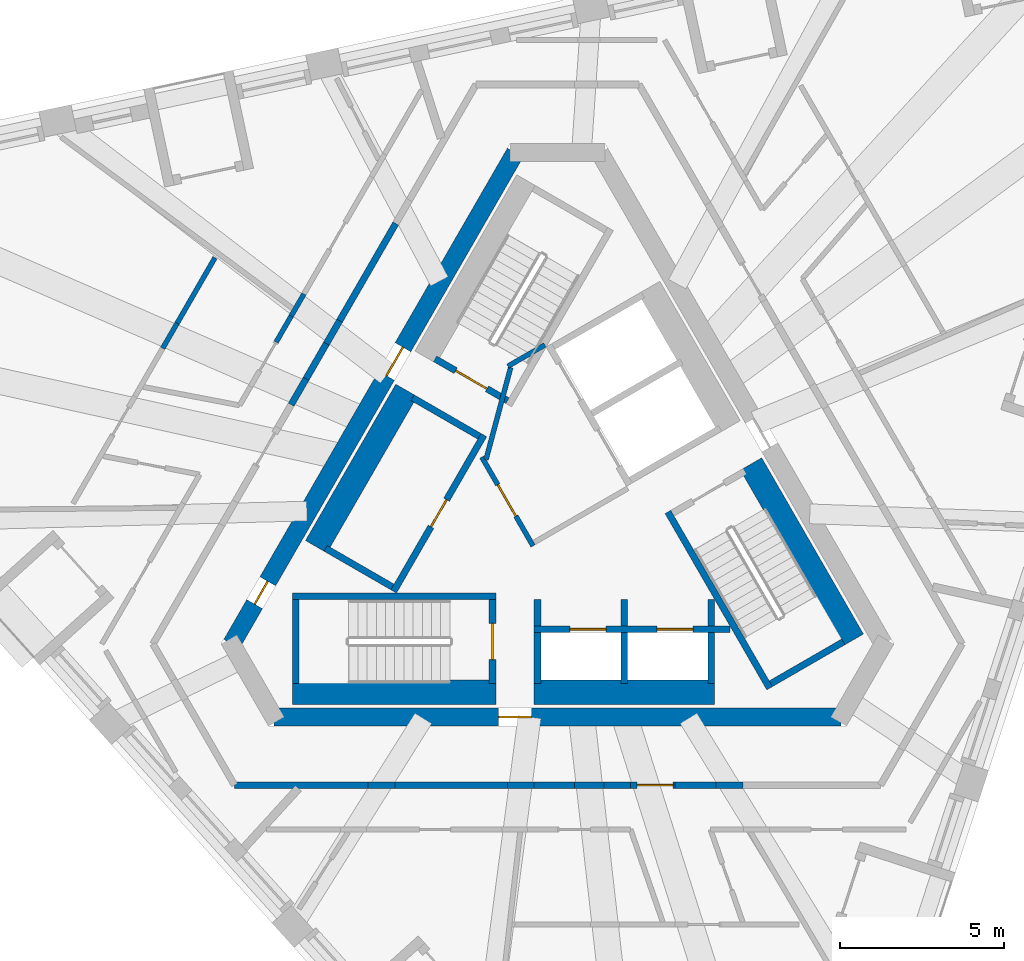
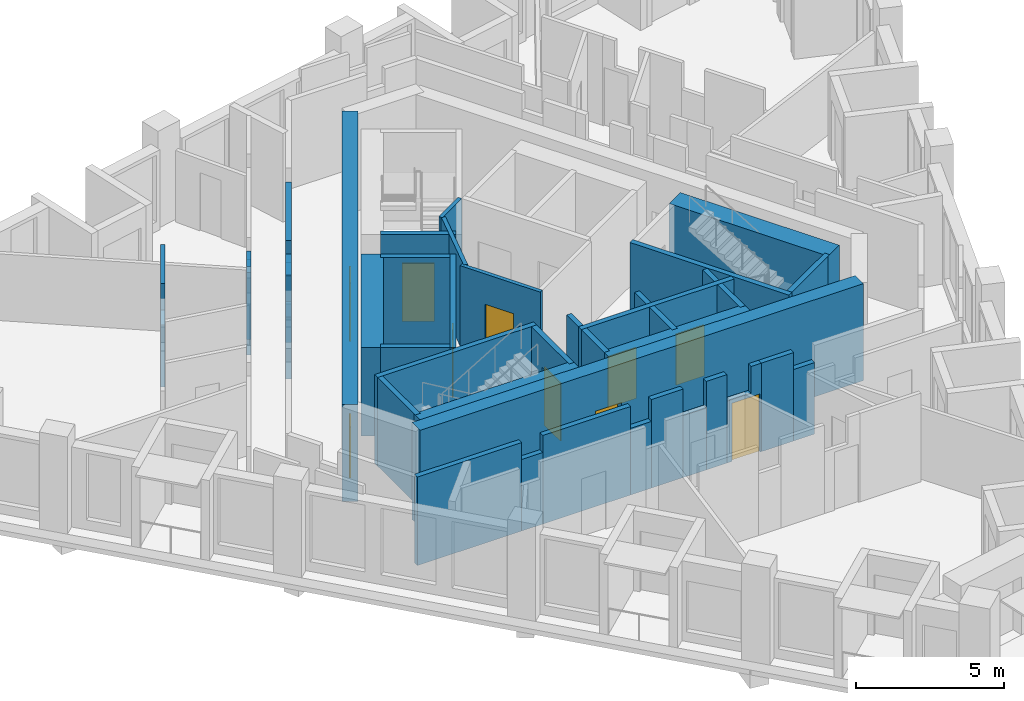
# One storey, part 4 of 13: 43 walls, 10 doors, 10 openings.
"""IFC4 building model written with IfcOpenShell, lengths in metres."""

from ifc_helpers import new_model, si_unit, direction, frame, frame_2d, origin, place, context, subcontext, project, spatial, polyline, rectangle, outline, extrude, material, layer, layer_set, type_object, element, fill, save


model = new_model("IFC4")

# Units and contexts
model_context = context("Model", 3, precision=1e-05, world=origin(), true_north=direction((0.0, 1.0)))
body_context = subcontext(model_context, "Body", "Model", "MODEL_VIEW")
ifc_project = project(units=[si_unit("LENGTHUNIT", "METRE"), si_unit("AREAUNIT", "SQUARE_METRE"), si_unit("VOLUMEUNIT", "CUBIC_METRE"), si_unit("PLANEANGLEUNIT", "RADIAN"), si_unit("MASSUNIT", "GRAM", prefix="KILO")], contexts=[model_context])

# Site, building, storey
site_placement = place(None, origin())
site = spatial("IfcSite", under=ifc_project, at=site_placement, CompositionType="ELEMENT")
building_placement = place(site_placement, origin())
building = spatial("IfcBuilding", under=site, at=building_placement, Name="Tramontana Tower", CompositionType="ELEMENT")
storey_placement = place(building_placement, frame((0.0, 0.0, 324.39990234375)))
storey = spatial("IfcBuildingStorey", under=building, at=storey_placement, Name="L74", CompositionType="ELEMENT", Elevation=324.39990234375)

# Wall, openings, doors
ifc_material_1 = material(Name="Concrete 70 MPa", Category="concrete")
ifc_layer_1 = layer(ifc_material_1, 0.550048828125)
ifc_layer_set_1 = layer_set([ifc_layer_1], Name="Core wall 550 70 MPa")
wall_type_1 = type_object("IfcWallType", Name="Core wall 550 70 MPa", PredefinedType="SHEAR", material=ifc_layer_set_1)
wall_1_placement = place(storey_placement, frame((-1.28466796875, 10.72509765625, 0.0), z_axis=(0.0, 0.0, 1.0), x_axis=(-0.499994590896, -0.86602852671, 0.0)))
wall_1 = element("IfcWall", 1, at=wall_1_placement, inside=storey, type_object=wall_type_1, Name="Core wall C1 L74", PredefinedType="SHEAR", context=body_context, shape_type="SweptSolid", body=[
    extrude(rectangle(XDim=17.291748046875, YDim=0.550048828125, at=frame_2d((8.64599609375, 0.0))), origin(), (0.0, 0.0, 1.0), 4.0),
])
opening_1_placement = place(wall_1_placement, frame((6.850830078125, 0.0, 0.0)))
opening_1 = element("IfcOpeningElement", 2, at=opening_1_placement, cuts=wall_1, Name="Opening RG1", PredefinedType="OPENING", context=body_context, shape_type="SweptSolid", body=[
    extrude(rectangle(XDim=1.0, YDim=2.39990234375, at=frame_2d((0.5, 1.199951171875))), frame((0.0, 0.284912109375, 0.0), z_axis=(0.0, -1.0, 0.0), x_axis=(1.0, 0.0, 0.0)), (0.0, 0.0, 1.0), 0.570068359375),
])
opening_2_placement = place(wall_1_placement, frame((15.0888671875, 0.0, 0.0)))
opening_2 = element("IfcOpeningElement", 3, at=opening_2_placement, cuts=wall_1, Name="Opening PD1", PredefinedType="OPENING", context=body_context, shape_type="SweptSolid", body=[
    extrude(rectangle(XDim=0.800048828125, YDim=2.10009765625, at=frame_2d((0.39990234375, 1.050048828125))), frame((0.0, 0.284912109375, 0.0), z_axis=(0.0, -1.0, 0.0), x_axis=(1.0, 0.0, 0.0)), (0.0, 0.0, 1.0), 0.570068359375),
])
ifc_material_2 = material(Name="Painted steel", Category="steel")
door_type_1 = type_object("IfcDoorType", Name="CUPBOARD DOOR 800", OperationType="SINGLE_SWING_LEFT", PredefinedType="DOOR", material=ifc_material_2)
door_1_placement = place(opening_2_placement, origin())
door_1 = element("IfcDoor", 4, at=door_1_placement, inside=storey, type_object=door_type_1, Name="Door PD1", OperationType="SINGLE_SWING_RIGHT", OverallHeight=2.10009765625, OverallWidth=0.800048828125, PredefinedType="DOOR", context=body_context, shape_type="SweptSolid", body=[
    extrude(rectangle(XDim=0.800048828125, YDim=2.10009765625, at=frame_2d((0.39990234375, 1.050048828125))), frame((0.0, 0.02490234375, 0.0), z_axis=(0.0, -1.0, 0.0), x_axis=(1.0, 0.0, 0.0)), (0.0, 0.0, 1.0), 0.050048828125),
])
fill(opening_2, door_1)
ifc_material_3 = material(Name="Painted steel", Category="steel")
door_type_2 = type_object("IfcDoorType", Name="RING DOOR 1000", OperationType="SINGLE_SWING_LEFT", PredefinedType="DOOR", material=ifc_material_3)
door_2_placement = place(opening_1_placement, origin())
door_2 = element("IfcDoor", 5, at=door_2_placement, inside=storey, type_object=door_type_2, Name="Door RG1", OperationType="SINGLE_SWING_LEFT", OverallHeight=2.39990234375, OverallWidth=1.0, PredefinedType="DOOR", context=body_context, shape_type="SweptSolid", body=[
    extrude(rectangle(XDim=1.0, YDim=2.39990234375, at=frame_2d((0.5, 1.199951171875))), frame((0.0, 0.02490234375, 0.0), z_axis=(0.0, -1.0, 0.0), x_axis=(1.0, 0.0, 0.0)), (0.0, 0.0, 1.0), 0.050048828125),
])
fill(opening_1, door_2)

# Wall, opening, door
wall_2_placement = place(storey_placement, frame((-8.645751953125, -6.47509765625, 0.0), z_axis=(0.0, 0.0, 1.0), x_axis=(1.0, 0.0, 0.0)))
wall_2 = element("IfcWall", 6, at=wall_2_placement, inside=storey, type_object=wall_type_1, Name="Core wall C3 L74", PredefinedType="SHEAR", context=body_context, shape_type="SweptSolid", body=[
    extrude(rectangle(XDim=17.29150390625, YDim=0.550048828125, at=frame_2d((8.645751953125, 0.0))), origin(), (0.0, 0.0, 1.0), 4.0),
])
opening_3_placement = place(wall_2_placement, frame((6.850830078125, 0.0, 0.0)))
opening_3 = element("IfcOpeningElement", 7, at=opening_3_placement, cuts=wall_2, Name="Opening RG2", PredefinedType="OPENING", context=body_context, shape_type="SweptSolid", body=[
    extrude(rectangle(XDim=1.0, YDim=2.39990234375, at=frame_2d((0.5, 1.199951171875))), frame((0.0, 0.284912109375, 0.0), z_axis=(0.0, -1.0, 0.0), x_axis=(1.0, 0.0, 0.0)), (0.0, 0.0, 1.0), 0.570068359375),
])
door_3_placement = place(opening_3_placement, origin())
door_3 = element("IfcDoor", 8, at=door_3_placement, inside=storey, type_object=door_type_2, Name="Door RG2", OperationType="SINGLE_SWING_RIGHT", OverallHeight=2.39990234375, OverallWidth=1.0, PredefinedType="DOOR", context=body_context, shape_type="SweptSolid", body=[
    extrude(rectangle(XDim=1.0, YDim=2.39990234375, at=frame_2d((0.5, 1.199951171875))), frame((0.0, 0.02490234375, 0.0), z_axis=(0.0, -1.0, 0.0), x_axis=(1.0, 0.0, 0.0)), (0.0, 0.0, 1.0), 0.050048828125),
])
fill(opening_3, door_3)

# Walls
ifc_material_4 = material(Name="Blockwork", Category="masonry")
ifc_layer_2 = layer(ifc_material_4, 0.199951171875)
ifc_layer_set_2 = layer_set([ifc_layer_2], Name="ENTRY WALL 200")
wall_type_2 = type_object("IfcWallType", Name="ENTRY WALL 200", PredefinedType="SOLIDWALL", material=ifc_layer_set_2)
wall_3_placement = place(storey_placement, frame((5.6494140625, -8.550048828125, 0.0), z_axis=(0.0, 0.0, 1.0), x_axis=(-1.0, 0.0, 0.0)))
element("IfcWall", 9, at=wall_3_placement, inside=storey, type_object=wall_type_2, Name="Wall v80-ew1-1", PredefinedType="SOLIDWALL", context=body_context, shape_type="SweptSolid", body=[
    extrude(rectangle(XDim=0.821044921875, YDim=0.199951171875, at=frame_2d((0.41064453125, 0.0))), origin(), (0.0, 0.0, 1.0), 2.9501953125),
])
wall_4_placement = place(storey_placement, frame((4.828369140625, -8.550048828125, 0.0), z_axis=(0.0, 0.0, 1.0), x_axis=(-1.0, 0.0, 0.0)))
element("IfcWall", 10, at=wall_4_placement, inside=storey, type_object=wall_type_2, Name="Wall v80-ew1-2", PredefinedType="SOLIDWALL", context=body_context, shape_type="SweptSolid", body=[
    extrude(rectangle(XDim=1.254638671875, YDim=0.199951171875, at=frame_2d((0.62744140625, 0.0))), origin(), (0.0, 0.0, 1.0), 3.650146484375),
])

# Wall, opening, door
wall_5_placement = place(storey_placement, frame((2.22900390625, -8.550048828125, 0.0), z_axis=(0.0, 0.0, 1.0), x_axis=(1.0, 0.0, 0.0)))
wall_5 = element("IfcWall", 11, at=wall_5_placement, inside=storey, type_object=wall_type_2, Name="Wall v80-ew1-3", PredefinedType="SOLIDWALL", context=body_context, shape_type="SweptSolid", body=[
    extrude(outline(polyline([(0.0, 0.0), (1.3447265625, 0.0), (1.3447265625, 3.650146484375), (0.94384765625, 3.650146484375), (0.94384765625, 2.550048828125), (0.0, 2.550048828125), (0.0, 0.0)])), frame((0.0, 0.10009765625, 0.0), z_axis=(0.0, -1.0, 0.0), x_axis=(1.0, 0.0, 0.0)), (0.0, 0.0, 1.0), 0.199951171875),
])
opening_4_placement = place(wall_5_placement, frame((0.19482421875, 0.0, 0.0)))
opening_4 = element("IfcOpeningElement", 12, at=opening_4_placement, cuts=wall_5, Name="Opening B8A-20", PredefinedType="OPENING", context=body_context, shape_type="SweptSolid", body=[
    extrude(rectangle(XDim=1.10009765625, YDim=2.39990234375, at=frame_2d((0.550048828125, 1.199951171875))), frame((0.0, 0.10986328125, 0.0), z_axis=(0.0, -1.0, 0.0), x_axis=(1.0, 0.0, 0.0)), (0.0, 0.0, 1.0), 0.219970703125),
])
ifc_material_5 = material(Name="Painted timber", Category="wood")
door_type_3 = type_object("IfcDoorType", Name="DOOR ENTRY 1100", OperationType="SINGLE_SWING_LEFT", PredefinedType="DOOR", material=ifc_material_5)
door_4_placement = place(opening_4_placement, origin())
door_4 = element("IfcDoor", 13, at=door_4_placement, inside=storey, type_object=door_type_3, Name="Door B8A-20", OperationType="SINGLE_SWING_RIGHT", OverallHeight=2.39990234375, OverallWidth=1.10009765625, PredefinedType="DOOR", context=body_context, shape_type="SweptSolid", body=[
    extrude(rectangle(XDim=1.10009765625, YDim=2.39990234375, at=frame_2d((0.550048828125, 1.199951171875))), frame((0.0, 0.02490234375, 0.0), z_axis=(0.0, -1.0, 0.0), x_axis=(1.0, 0.0, 0.0)), (0.0, 0.0, 1.0), 0.050048828125),
])
fill(opening_4, door_4)

# Walls
wall_6_placement = place(storey_placement, frame((2.22900390625, -8.550048828125, 0.0), z_axis=(0.0, 0.0, 1.0), x_axis=(-1.0, 0.0, 0.0)))
element("IfcWall", 14, at=wall_6_placement, inside=storey, type_object=wall_type_2, Name="Wall v80-ew1-4", PredefinedType="SOLIDWALL", context=body_context, shape_type="SweptSolid", body=[
    extrude(rectangle(XDim=0.806640625, YDim=0.199951171875, at=frame_2d((0.4033203125, 0.0))), origin(), (0.0, 0.0, 1.0), 3.650146484375),
])
wall_7_placement = place(storey_placement, frame((1.42236328125, -8.550048828125, 0.0), z_axis=(0.0, 0.0, 1.0), x_axis=(-1.0, 0.0, 0.0)))
element("IfcWall", 15, at=wall_7_placement, inside=storey, type_object=wall_type_2, Name="Wall v80-ew1-5", PredefinedType="SOLIDWALL", context=body_context, shape_type="SweptSolid", body=[
    extrude(rectangle(XDim=0.90576171875, YDim=0.199951171875, at=frame_2d((0.452880859375, 0.0))), origin(), (0.0, 0.0, 1.0), 2.550048828125),
])
wall_8_placement = place(storey_placement, frame((0.5166015625, -8.550048828125, 0.0), z_axis=(0.0, 0.0, 1.0), x_axis=(-1.0, 0.0, 0.0)))
element("IfcWall", 16, at=wall_8_placement, inside=storey, type_object=wall_type_2, Name="Wall v80-ew1-6", PredefinedType="SOLIDWALL", context=body_context, shape_type="SweptSolid", body=[
    extrude(rectangle(XDim=1.23828125, YDim=0.199951171875, at=frame_2d((0.619140625, 0.0))), origin(), (0.0, 0.0, 1.0), 3.650146484375),
])
wall_9_placement = place(storey_placement, frame((-0.7216796875, -8.550048828125, 0.0), z_axis=(0.0, 0.0, 1.0), x_axis=(-1.0, 0.0, 0.0)))
element("IfcWall", 17, at=wall_9_placement, inside=storey, type_object=wall_type_2, Name="Wall v80-ew1-7", PredefinedType="SOLIDWALL", context=body_context, shape_type="SweptSolid", body=[
    extrude(rectangle(XDim=0.806884765625, YDim=0.199951171875, at=frame_2d((0.4033203125, 0.0))), origin(), (0.0, 0.0, 1.0), 2.75),
])
wall_10_placement = place(storey_placement, frame((-1.528564453125, -8.550048828125, 0.0), z_axis=(0.0, 0.0, 1.0), x_axis=(-1.0, 0.0, 0.0)))
element("IfcWall", 18, at=wall_10_placement, inside=storey, type_object=wall_type_2, Name="Wall v80-ew1-8", PredefinedType="SOLIDWALL", context=body_context, shape_type="SweptSolid", body=[
    extrude(rectangle(XDim=3.423095703125, YDim=0.199951171875, at=frame_2d((1.71142578125, 0.0))), origin(), (0.0, 0.0, 1.0), 3.650146484375),
])
wall_11_placement = place(storey_placement, frame((-4.95166015625, -8.550048828125, 0.0), z_axis=(0.0, 0.0, 1.0), x_axis=(-1.0, 0.0, 0.0)))
element("IfcWall", 19, at=wall_11_placement, inside=storey, type_object=wall_type_2, Name="Wall v80-ew1-9", PredefinedType="SOLIDWALL", context=body_context, shape_type="SweptSolid", body=[
    extrude(rectangle(XDim=0.826416015625, YDim=0.199951171875, at=frame_2d((0.4130859375, 0.0))), origin(), (0.0, 0.0, 1.0), 2.9501953125),
])
wall_12_placement = place(storey_placement, frame((-5.778076171875, -8.550048828125, 0.0), z_axis=(0.0, 0.0, 1.0), x_axis=(-1.0, 0.0, 0.0)))
element("IfcWall", 20, at=wall_12_placement, inside=storey, type_object=wall_type_2, Name="Wall v80-ew1-10", PredefinedType="SOLIDWALL", context=body_context, shape_type="SweptSolid", body=[
    extrude(rectangle(XDim=4.065673828125, YDim=0.199951171875, at=frame_2d((2.03271484375, 0.0))), origin(), (0.0, 0.0, 1.0), 3.650146484375),
])
wall_13_placement = place(storey_placement, frame((-8.11572265625, 3.043212890625, 0.0), z_axis=(0.0, 0.0, 1.0), x_axis=(0.499994660107, 0.866028486751, 0.0)))
element("IfcWall", 21, at=wall_13_placement, inside=storey, type_object=wall_type_2, Name="Wall v80-ew3-5", PredefinedType="SOLIDWALL", context=body_context, shape_type="SweptSolid", body=[
    extrude(rectangle(XDim=0.90576171875, YDim=0.199951171875, at=frame_2d((0.452880859375, 0.0))), origin(), (0.0, 0.0, 1.0), 2.550048828125),
])
wall_14_placement = place(storey_placement, frame((-7.662841796875, 3.82763671875, 0.0), z_axis=(0.0, 0.0, 1.0), x_axis=(0.499955681623, 0.866050989499, 0.0)))
element("IfcWall", 22, at=wall_14_placement, inside=storey, type_object=wall_type_2, Name="Wall v80-ew3-6", PredefinedType="SOLIDWALL", context=body_context, shape_type="SweptSolid", body=[
    extrude(rectangle(XDim=1.23828125, YDim=0.199951171875, at=frame_2d((0.619140625, 0.0))), origin(), (0.0, 0.0, 1.0), 3.650146484375),
])
wall_15_placement = place(storey_placement, frame((-7.043701171875, 4.900146484375, 0.0), z_axis=(0.0, 0.0, 1.0), x_axis=(0.500141487433, 0.865943700565, 0.0)))
element("IfcWall", 23, at=wall_15_placement, inside=storey, type_object=wall_type_2, Name="Wall v80-ew3-7", PredefinedType="SOLIDWALL", context=body_context, shape_type="SweptSolid", body=[
    extrude(rectangle(XDim=0.806884765625, YDim=0.199951171875, at=frame_2d((0.4033203125, 0.0))), origin(), (0.0, 0.0, 1.0), 2.75),
])
wall_16_placement = place(storey_placement, frame((-6.64013671875, 5.598876953125, 0.0), z_axis=(0.0, 0.0, 1.0), x_axis=(0.499989998285, 0.8660311782, 0.0)))
element("IfcWall", 24, at=wall_16_placement, inside=storey, type_object=wall_type_2, Name="Wall v80-ew3-8", PredefinedType="SOLIDWALL", context=body_context, shape_type="SweptSolid", body=[
    extrude(rectangle(XDim=3.4228515625, YDim=0.199951171875, at=frame_2d((1.71142578125, 0.0))), origin(), (0.0, 0.0, 1.0), 3.650146484375),
])

# Wall, opening, door
ifc_material_6 = material(Name="Gypsum board partition")
ifc_layer_3 = layer(ifc_material_6, 0.14990234375)
ifc_layer_set_3 = layer_set([ifc_layer_3], Name="PARTITION 150")
wall_type_3 = type_object("IfcWallType", Name="PARTITION 150", PredefinedType="PARTITIONING", material=ifc_layer_set_3)
wall_17_placement = place(storey_placement, frame((-0.744140625, -1.260986328125, 0.0), z_axis=(0.0, 0.0, 1.0), x_axis=(-0.500004234368, 0.866022959057, 0.0)))
wall_17 = element("IfcWall", 25, at=wall_17_placement, inside=storey, type_object=wall_type_3, Name="Wall ff-front", PredefinedType="PARTITIONING", context=body_context, shape_type="SweptSolid", body=[
    extrude(rectangle(XDim=3.125, YDim=0.14990234375, at=frame_2d((1.5625, 0.0))), origin(), (0.0, 0.0, 1.0), 3.650146484375),
])
opening_5_placement = place(wall_17_placement, frame((1.050048828125, 0.0, 0.0)))
opening_5 = element("IfcOpeningElement", 26, at=opening_5_placement, cuts=wall_17, Name="Opening FD1", PredefinedType="OPENING", context=body_context, shape_type="SweptSolid", body=[
    extrude(rectangle(XDim=1.10009765625, YDim=2.39990234375, at=frame_2d((0.550048828125, 1.199951171875))), frame((0.0, 0.0849609375, 0.0), z_axis=(0.0, -1.0, 0.0), x_axis=(1.0, 0.0, 0.0)), (0.0, 0.0, 1.0), 0.169921875),
])
door_5_placement = place(opening_5_placement, origin())
door_5 = element("IfcDoor", 27, at=door_5_placement, inside=storey, type_object=door_type_3, Name="Door FD1", OperationType="SINGLE_SWING_RIGHT", OverallHeight=2.39990234375, OverallWidth=1.10009765625, PredefinedType="DOOR", context=body_context, shape_type="SweptSolid", body=[
    extrude(rectangle(XDim=1.10009765625, YDim=2.39990234375, at=frame_2d((0.550048828125, 1.199951171875))), frame((0.0, 0.02490234375, 0.0), z_axis=(0.0, -1.0, 0.0), x_axis=(1.0, 0.0, 0.0)), (0.0, 0.0, 1.0), 0.050048828125),
])
fill(opening_5, door_5)

# Walls
wall_18_placement = place(storey_placement, frame((-2.177978515625, 1.372314453125, 0.0), z_axis=(0.0, 0.0, 1.0), x_axis=(0.258808958833, 0.96592852884, 0.0)))
element("IfcWall", 28, at=wall_18_placement, inside=storey, type_object=wall_type_3, Name="Wall ff-diag", PredefinedType="PARTITIONING", context=body_context, shape_type="SweptSolid", body=[
    extrude(rectangle(XDim=2.902587890625, YDim=0.14990234375, at=frame_2d((1.451171875, 0.0))), origin(), (0.0, 0.0, 1.0), 3.650146484375),
])
wall_19_placement = place(storey_placement, frame((-1.509765625, 4.21484375, 0.0), z_axis=(0.0, 0.0, 1.0), x_axis=(0.866085525409, 0.49989585183, 0.0)))
element("IfcWall", 29, at=wall_19_placement, inside=storey, type_object=wall_type_3, Name="Wall ff-end1", PredefinedType="PARTITIONING", context=body_context, shape_type="SweptSolid", body=[
    extrude(rectangle(XDim=1.300048828125, YDim=0.14990234375, at=frame_2d((0.64990234375, 0.0))), origin(), (0.0, 0.0, 1.0), 3.650146484375),
])
wall_20_placement = place(storey_placement, frame((-12.031005859375, 4.761962890625, 0.0), z_axis=(0.0, 0.0, 1.0), x_axis=(0.50019444547, 0.865913111531, 0.0)))
element("IfcWall", 30, at=wall_20_placement, inside=storey, type_object=wall_type_3, Name="Wall v80-pw01-3", PredefinedType="PARTITIONING", context=body_context, shape_type="SweptSolid", body=[
    extrude(rectangle(XDim=0.880615234375, YDim=0.14990234375, at=frame_2d((0.4404296875, 0.0))), origin(), (0.0, 0.0, 1.0), 2.550048828125),
])
wall_21_placement = place(storey_placement, frame((-11.590576171875, 5.5244140625, 0.0), z_axis=(0.0, 0.0, 1.0), x_axis=(0.500012835235, 0.866017993231, 0.0)))
element("IfcWall", 31, at=wall_21_placement, inside=storey, type_object=wall_type_3, Name="Wall v80-pw01-4", PredefinedType="PARTITIONING", context=body_context, shape_type="SweptSolid", body=[
    extrude(rectangle(XDim=2.3046875, YDim=0.14990234375, at=frame_2d((1.15234375, 0.0))), origin(), (0.0, 0.0, 1.0), 3.650146484375),
])
wall_22_placement = place(storey_placement, frame((-8.573974609375, 4.949462890625, 0.0), z_axis=(0.0, 0.0, 1.0), x_axis=(0.500023511883, 0.866011828767, 0.0)))
element("IfcWall", 32, at=wall_22_placement, inside=storey, type_object=wall_type_3, Name="Wall v80-pw08-2", PredefinedType="PARTITIONING", context=body_context, shape_type="SweptSolid", body=[
    extrude(rectangle(XDim=0.91259765625, YDim=0.14990234375, at=frame_2d((0.456298828125, 0.0))), origin(), (0.0, 0.0, 1.0), 3.650146484375),
])
wall_23_placement = place(storey_placement, frame((-8.11767578125, 5.73974609375, 0.0), z_axis=(0.0, 0.0, 1.0), x_axis=(0.500001804394, 0.866024362014, 0.0)))
element("IfcWall", 33, at=wall_23_placement, inside=storey, type_object=wall_type_3, Name="Wall v80-pw08-3", PredefinedType="PARTITIONING", context=body_context, shape_type="SweptSolid", body=[
    extrude(rectangle(XDim=0.78173828125, YDim=0.14990234375, at=frame_2d((0.390869140625, 0.0))), origin(), (0.0, 0.0, 1.0), 2.75),
])
ifc_material_7 = material(Name="Concrete 70 MPa", Category="concrete")
ifc_layer_4 = layer(ifc_material_7, 0.75)
ifc_layer_set_4 = layer_set([ifc_layer_4], Name="Concrete 70 MPa, 750 mm")
wall_type_4 = type_object("IfcWallType", Name="RC SHAFT BACK WALL 750", PredefinedType="SOLIDWALL", material=ifc_layer_set_4)
wall_24_placement = place(storey_placement, frame((-8.080078125, -5.72509765625, 0.0), z_axis=(0.0, 0.0, 1.0), x_axis=(1.0, 0.0, 0.0)))
element("IfcWall", 34, at=wall_24_placement, inside=storey, type_object=wall_type_4, Name="Wall st2-back", PredefinedType="SOLIDWALL", context=body_context, shape_type="SweptSolid", body=[
    extrude(rectangle(XDim=6.2001953125, YDim=0.75, at=frame_2d((3.10009765625, 0.0))), origin(), (0.0, 0.0, 1.0), 3.650146484375),
])
wall_25_placement = place(storey_placement, frame((8.998046875, -4.135009765625, 0.0), z_axis=(0.0, 0.0, 1.0), x_axis=(-0.500009909098, 0.866019682689, 0.0)))
element("IfcWall", 35, at=wall_25_placement, inside=storey, type_object=wall_type_4, Name="Wall st3-back", PredefinedType="SOLIDWALL", context=body_context, shape_type="SweptSolid", body=[
    extrude(rectangle(XDim=6.199951171875, YDim=0.75, at=frame_2d((3.10009765625, 0.0))), origin(), (0.0, 0.0, 1.0), 3.650146484375),
])
wall_26_placement = place(storey_placement, frame((-4.60302734375, 3.477294921875, 0.0), z_axis=(0.0, 0.0, 1.0), x_axis=(-0.500015767406, -0.866016300277, 0.0)))
element("IfcWall", 36, at=wall_26_placement, inside=storey, type_object=wall_type_4, Name="Wall row0-back", PredefinedType="SOLIDWALL", context=body_context, shape_type="SweptSolid", body=[
    extrude(rectangle(XDim=5.499755859375, YDim=0.75, at=frame_2d((2.75, 0.0))), origin(), (0.0, 0.0, 1.0), 3.650146484375),
])
wall_27_placement = place(storey_placement, frame((-0.7099609375, -5.72509765625, 0.0), z_axis=(0.0, 0.0, 1.0), x_axis=(1.0, 0.0, 0.0)))
element("IfcWall", 37, at=wall_27_placement, inside=storey, type_object=wall_type_4, Name="Wall row1-back", PredefinedType="SOLIDWALL", context=body_context, shape_type="SweptSolid", body=[
    extrude(rectangle(XDim=5.5, YDim=0.75, at=frame_2d((2.75, 0.0))), origin(), (0.0, 0.0, 1.0), 3.650146484375),
])

# Wall, opening, door
ifc_material_8 = material(Name="Concrete 70 MPa", Category="concrete")
ifc_layer_5 = layer(ifc_material_8, 0.199951171875)
ifc_layer_set_5 = layer_set([ifc_layer_5], Name="Concrete 70 MPa, 200 mm")
wall_type_5 = type_object("IfcWallType", Name="RC STAIR AND SHAFT WALL 200", PredefinedType="SOLIDWALL", material=ifc_layer_set_5)
wall_28_placement = place(storey_placement, frame((-1.521484375, 3.164794921875, 0.0), z_axis=(0.0, 0.0, 1.0), x_axis=(-0.866030925526, 0.499990435942, 0.0)))
wall_28 = element("IfcWall", 38, at=wall_28_placement, inside=storey, type_object=wall_type_5, Name="Wall st1-near", PredefinedType="SOLIDWALL", context=body_context, shape_type="SweptSolid", body=[
    extrude(rectangle(XDim=2.5498046875, YDim=0.199951171875, at=frame_2d((1.27490234375, 0.0))), origin(), (0.0, 0.0, 1.0), 3.650146484375),
])
opening_6_placement = place(wall_28_placement, frame((0.72509765625, 0.0, 0.0)))
opening_6 = element("IfcOpeningElement", 39, at=opening_6_placement, cuts=wall_28, Name="Opening SD1", PredefinedType="OPENING", context=body_context, shape_type="SweptSolid", body=[
    extrude(rectangle(XDim=1.10009765625, YDim=2.39990234375, at=frame_2d((0.550048828125, 1.199951171875))), frame((0.0, 0.10986328125, 0.0), z_axis=(0.0, -1.0, 0.0), x_axis=(1.0, 0.0, 0.0)), (0.0, 0.0, 1.0), 0.219970703125),
])
ifc_material_9 = material(Name="Painted steel", Category="steel")
door_type_4 = type_object("IfcDoorType", Name="STAIR DOOR 1100", OperationType="SINGLE_SWING_LEFT", PredefinedType="DOOR", material=ifc_material_9)
door_6_placement = place(opening_6_placement, origin())
door_6 = element("IfcDoor", 40, at=door_6_placement, inside=storey, type_object=door_type_4, Name="Door SD1", OperationType="SINGLE_SWING_RIGHT", OverallHeight=2.39990234375, OverallWidth=1.10009765625, PredefinedType="DOOR", context=body_context, shape_type="SweptSolid", body=[
    extrude(rectangle(XDim=1.10009765625, YDim=2.39990234375, at=frame_2d((0.550048828125, 1.199951171875))), frame((0.0, 0.02490234375, 0.0), z_axis=(0.0, -1.0, 0.0), x_axis=(1.0, 0.0, 0.0)), (0.0, 0.0, 1.0), 0.050048828125),
])
fill(opening_6, door_6)

# Walls
wall_29_placement = place(storey_placement, frame((-8.080078125, -2.800048828125, 0.0), z_axis=(0.0, 0.0, 1.0), x_axis=(1.0, 0.0, 0.0)))
element("IfcWall", 41, at=wall_29_placement, inside=storey, type_object=wall_type_5, Name="Wall st2-front", PredefinedType="SOLIDWALL", context=body_context, shape_type="SweptSolid", body=[
    extrude(rectangle(XDim=6.2001953125, YDim=0.199951171875, at=frame_2d((3.10009765625, 0.0))), origin(), (0.0, 0.0, 1.0), 3.650146484375),
])
wall_30_placement = place(storey_placement, frame((-7.97998046875, -2.89990234375, 0.0), z_axis=(0.0, 0.0, 1.0), x_axis=(0.0, -1.0, 0.0)))
element("IfcWall", 42, at=wall_30_placement, inside=storey, type_object=wall_type_5, Name="Wall st2-far", PredefinedType="SOLIDWALL", context=body_context, shape_type="SweptSolid", body=[
    extrude(rectangle(XDim=2.550048828125, YDim=0.199951171875, at=frame_2d((1.27490234375, 0.0))), origin(), (0.0, 0.0, 1.0), 3.650146484375),
])

# Wall, opening, door
wall_31_placement = place(storey_placement, frame((-1.97998046875, -2.89990234375, 0.0), z_axis=(0.0, 0.0, 1.0), x_axis=(0.0, -1.0, 0.0)))
wall_31 = element("IfcWall", 43, at=wall_31_placement, inside=storey, type_object=wall_type_5, Name="Wall st2-near", PredefinedType="SOLIDWALL", context=body_context, shape_type="SweptSolid", body=[
    extrude(rectangle(XDim=2.550048828125, YDim=0.199951171875, at=frame_2d((1.27490234375, 0.0))), origin(), (0.0, 0.0, 1.0), 3.650146484375),
])
opening_7_placement = place(wall_31_placement, frame((0.72509765625, 0.0, 0.0)))
opening_7 = element("IfcOpeningElement", 44, at=opening_7_placement, cuts=wall_31, Name="Opening SD2", PredefinedType="OPENING", context=body_context, shape_type="SweptSolid", body=[
    extrude(rectangle(XDim=1.10009765625, YDim=2.39990234375, at=frame_2d((0.550048828125, 1.199951171875))), frame((0.0, 0.10986328125, 0.0), z_axis=(0.0, -1.0, 0.0), x_axis=(1.0, 0.0, 0.0)), (0.0, 0.0, 1.0), 0.219970703125),
])
door_7_placement = place(opening_7_placement, origin())
door_7 = element("IfcDoor", 45, at=door_7_placement, inside=storey, type_object=door_type_4, Name="Door SD2", OperationType="SINGLE_SWING_LEFT", OverallHeight=2.39990234375, OverallWidth=1.10009765625, PredefinedType="DOOR", context=body_context, shape_type="SweptSolid", body=[
    extrude(rectangle(XDim=1.10009765625, YDim=2.39990234375, at=frame_2d((0.550048828125, 1.199951171875))), frame((0.0, 0.02490234375, 0.0), z_axis=(0.0, -1.0, 0.0), x_axis=(1.0, 0.0, 0.0)), (0.0, 0.0, 1.0), 0.050048828125),
])
fill(opening_7, door_7)

# Walls
wall_32_placement = place(storey_placement, frame((6.46484375, -5.597412109375, 0.0), z_axis=(0.0, 0.0, 1.0), x_axis=(-0.49998037582, 0.866036733513, 0.0)))
element("IfcWall", 46, at=wall_32_placement, inside=storey, type_object=wall_type_5, Name="Wall st3-front", PredefinedType="SOLIDWALL", context=body_context, shape_type="SweptSolid", body=[
    extrude(rectangle(XDim=6.199951171875, YDim=0.199951171875, at=frame_2d((3.10009765625, 0.0))), origin(), (0.0, 0.0, 1.0), 3.650146484375),
])
wall_33_placement = place(storey_placement, frame((6.50146484375, -5.4609375, 0.0), z_axis=(0.0, 0.0, 1.0), x_axis=(0.865989465428, 0.500062241894, 0.0)))
element("IfcWall", 47, at=wall_33_placement, inside=storey, type_object=wall_type_5, Name="Wall st3-far", PredefinedType="SOLIDWALL", context=body_context, shape_type="SweptSolid", body=[
    extrude(rectangle(XDim=2.550048828125, YDim=0.199951171875, at=frame_2d((1.27490234375, 0.0))), origin(), (0.0, 0.0, 1.0), 3.650146484375),
])

# Wall, opening, door
wall_34_placement = place(storey_placement, frame((-4.9931640625, -2.648193359375, 0.0), z_axis=(0.0, 0.0, 1.0), x_axis=(0.499996545922, 0.866027397988, 0.0)))
wall_34 = element("IfcWall", 48, at=wall_34_placement, inside=storey, type_object=wall_type_5, Name="Wall row0-front", PredefinedType="SOLIDWALL", context=body_context, shape_type="SweptSolid", body=[
    extrude(rectangle(XDim=5.5, YDim=0.199951171875, at=frame_2d((2.75, 0.0))), origin(), (0.0, 0.0, 1.0), 3.650146484375),
])
opening_8_placement = place(wall_34_placement, frame((2.27490234375, 0.0, 0.0)))
opening_8 = element("IfcOpeningElement", 49, at=opening_8_placement, cuts=wall_34, Name="Opening RD-0", PredefinedType="OPENING", context=body_context, shape_type="SweptSolid", body=[
    extrude(rectangle(XDim=0.949951171875, YDim=2.39990234375, at=frame_2d((0.47509765625, 1.199951171875))), frame((0.0, 0.10986328125, 0.0), z_axis=(0.0, -1.0, 0.0), x_axis=(1.0, 0.0, 0.0)), (0.0, 0.0, 1.0), 0.219970703125),
])
ifc_material_10 = material(Name="Painted timber", Category="wood")
door_type_5 = type_object("IfcDoorType", Name="DOOR ROOM 950", OperationType="SINGLE_SWING_LEFT", PredefinedType="DOOR", material=ifc_material_10)
door_8_placement = place(opening_8_placement, origin())
door_8 = element("IfcDoor", 50, at=door_8_placement, inside=storey, type_object=door_type_5, Name="Door RD-0", OperationType="SINGLE_SWING_LEFT", OverallHeight=2.39990234375, OverallWidth=0.949951171875, PredefinedType="DOOR", context=body_context, shape_type="SweptSolid", body=[
    extrude(rectangle(XDim=0.949951171875, YDim=2.39990234375, at=frame_2d((0.47509765625, 1.199951171875))), frame((0.0, 0.02490234375, 0.0), z_axis=(0.0, -1.0, 0.0), x_axis=(1.0, 0.0, 0.0)), (0.0, 0.0, 1.0), 0.050048828125),
])
fill(opening_8, door_8)

# Walls
wall_35_placement = place(storey_placement, frame((-2.379638671875, 2.078369140625, 0.0), z_axis=(0.0, 0.0, 1.0), x_axis=(-0.866061024631, 0.499938297808, 0.0)))
element("IfcWall", 51, at=wall_35_placement, inside=storey, type_object=wall_type_5, Name="Wall row0-side0", PredefinedType="SOLIDWALL", context=body_context, shape_type="SweptSolid", body=[
    extrude(rectangle(XDim=2.349853515625, YDim=0.199951171875, at=frame_2d((1.1748046875, 0.0))), origin(), (0.0, 0.0, 1.0), 3.650146484375),
])
wall_36_placement = place(storey_placement, frame((-5.02978515625, -2.51171875, 0.0), z_axis=(0.0, 0.0, 1.0), x_axis=(-0.866016039709, 0.500016218704, 0.0)))
element("IfcWall", 52, at=wall_36_placement, inside=storey, type_object=wall_type_5, Name="Wall row0-side2", PredefinedType="SOLIDWALL", context=body_context, shape_type="SweptSolid", body=[
    extrude(rectangle(XDim=2.35009765625, YDim=0.199951171875, at=frame_2d((1.175048828125, 0.0))), origin(), (0.0, 0.0, 1.0), 3.650146484375),
])

# Wall, openings, doors
wall_37_placement = place(storey_placement, frame((-0.7099609375, -3.800048828125, 0.0), z_axis=(0.0, 0.0, 1.0), x_axis=(1.0, 0.0, 0.0)))
wall_37 = element("IfcWall", 53, at=wall_37_placement, inside=storey, type_object=wall_type_5, Name="Wall row1-front", PredefinedType="SOLIDWALL", context=body_context, shape_type="SweptSolid", body=[
    extrude(rectangle(XDim=5.96142578125, YDim=0.199951171875, at=frame_2d((2.980712890625, 0.0))), origin(), (0.0, 0.0, 1.0), 3.650146484375),
])
opening_9_placement = place(wall_37_placement, frame((1.090087890625, 0.0, 0.0)))
opening_9 = element("IfcOpeningElement", 54, at=opening_9_placement, cuts=wall_37, Name="Opening LD-S1", PredefinedType="OPENING", context=body_context, shape_type="SweptSolid", body=[
    extrude(rectangle(XDim=1.10009765625, YDim=2.10009765625, at=frame_2d((0.550048828125, 1.050048828125))), frame((0.0, 0.10986328125, 0.0), z_axis=(0.0, -1.0, 0.0), x_axis=(1.0, 0.0, 0.0)), (0.0, 0.0, 1.0), 0.219970703125),
])
opening_10_placement = place(wall_37_placement, frame((3.739990234375, 0.0, 0.0)))
opening_10 = element("IfcOpeningElement", 55, at=opening_10_placement, cuts=wall_37, Name="Opening LD-S2", PredefinedType="OPENING", context=body_context, shape_type="SweptSolid", body=[
    extrude(rectangle(XDim=1.10009765625, YDim=2.10009765625, at=frame_2d((0.550048828125, 1.050048828125))), frame((0.0, 0.10986328125, 0.0), z_axis=(0.0, -1.0, 0.0), x_axis=(1.0, 0.0, 0.0)), (0.0, 0.0, 1.0), 0.219970703125),
])
ifc_material_11 = material(Name="Brushed steel", Category="steel")
door_type_6 = type_object("IfcDoorType", Name="LANDING DOOR 1100", OperationType="SINGLE_SWING_LEFT", PredefinedType="DOOR", material=ifc_material_11)
door_9_placement = place(opening_9_placement, origin())
door_9 = element("IfcDoor", 56, at=door_9_placement, inside=storey, type_object=door_type_6, Name="Door LD-S1", OperationType="SLIDING_TO_RIGHT", OverallHeight=2.10009765625, OverallWidth=1.10009765625, PredefinedType="DOOR", context=body_context, shape_type="SweptSolid", body=[
    extrude(rectangle(XDim=1.10009765625, YDim=2.10009765625, at=frame_2d((0.550048828125, 1.050048828125))), frame((0.0, 0.02490234375, 0.0), z_axis=(0.0, -1.0, 0.0), x_axis=(1.0, 0.0, 0.0)), (0.0, 0.0, 1.0), 0.050048828125),
])
fill(opening_9, door_9)
door_10_placement = place(opening_10_placement, origin())
door_10 = element("IfcDoor", 57, at=door_10_placement, inside=storey, type_object=door_type_6, Name="Door LD-S2", OperationType="SLIDING_TO_LEFT", OverallHeight=2.10009765625, OverallWidth=1.10009765625, PredefinedType="DOOR", context=body_context, shape_type="SweptSolid", body=[
    extrude(rectangle(XDim=1.10009765625, YDim=2.10009765625, at=frame_2d((0.550048828125, 1.050048828125))), frame((0.0, 0.02490234375, 0.0), z_axis=(0.0, -1.0, 0.0), x_axis=(1.0, 0.0, 0.0)), (0.0, 0.0, 1.0), 0.050048828125),
])
fill(opening_10, door_10)

# Walls
wall_38_placement = place(storey_placement, frame((-0.610107421875, -3.89990234375, 0.0), z_axis=(0.0, 0.0, 1.0), x_axis=(0.0, -1.0, 0.0)))
element("IfcWall", 58, at=wall_38_placement, inside=storey, type_object=wall_type_5, Name="Wall row1-side0", PredefinedType="SOLIDWALL", context=body_context, shape_type="SweptSolid", body=[
    extrude(rectangle(XDim=1.550048828125, YDim=0.199951171875, at=frame_2d((0.77490234375, 0.0))), origin(), (0.0, 0.0, 1.0), 3.650146484375),
])
wall_39_placement = place(storey_placement, frame((-0.610107421875, -2.89990234375, 0.0), z_axis=(0.0, 0.0, 1.0), x_axis=(0.0, -1.0, 0.0)))
element("IfcWall", 59, at=wall_39_placement, inside=storey, type_object=wall_type_5, Name="Wall row1-side0-ret", PredefinedType="SOLIDWALL", context=body_context, shape_type="SweptSolid", body=[
    extrude(rectangle(XDim=0.800048828125, YDim=0.199951171875, at=frame_2d((0.39990234375, 0.0))), origin(), (0.0, 0.0, 1.0), 3.650146484375),
])
wall_40_placement = place(storey_placement, frame((2.0400390625, -3.89990234375, 0.0), z_axis=(0.0, 0.0, 1.0), x_axis=(0.0, -1.0, 0.0)))
element("IfcWall", 60, at=wall_40_placement, inside=storey, type_object=wall_type_5, Name="Wall row1-side1", PredefinedType="SOLIDWALL", context=body_context, shape_type="SweptSolid", body=[
    extrude(rectangle(XDim=1.550048828125, YDim=0.199951171875, at=frame_2d((0.77490234375, 0.0))), origin(), (0.0, 0.0, 1.0), 3.650146484375),
])
wall_41_placement = place(storey_placement, frame((2.0400390625, -2.89990234375, 0.0), z_axis=(0.0, 0.0, 1.0), x_axis=(0.0, -1.0, 0.0)))
element("IfcWall", 61, at=wall_41_placement, inside=storey, type_object=wall_type_5, Name="Wall row1-side1-ret", PredefinedType="SOLIDWALL", context=body_context, shape_type="SweptSolid", body=[
    extrude(rectangle(XDim=0.800048828125, YDim=0.199951171875, at=frame_2d((0.39990234375, 0.0))), origin(), (0.0, 0.0, 1.0), 3.650146484375),
])
wall_42_placement = place(storey_placement, frame((4.68994140625, -3.89990234375, 0.0), z_axis=(0.0, 0.0, 1.0), x_axis=(0.0, -1.0, 0.0)))
element("IfcWall", 62, at=wall_42_placement, inside=storey, type_object=wall_type_5, Name="Wall row1-side2", PredefinedType="SOLIDWALL", context=body_context, shape_type="SweptSolid", body=[
    extrude(rectangle(XDim=1.550048828125, YDim=0.199951171875, at=frame_2d((0.77490234375, 0.0))), origin(), (0.0, 0.0, 1.0), 3.650146484375),
])
wall_43_placement = place(storey_placement, frame((4.68994140625, -2.89990234375, 0.0), z_axis=(0.0, 0.0, 1.0), x_axis=(0.0, -1.0, 0.0)))
element("IfcWall", 63, at=wall_43_placement, inside=storey, type_object=wall_type_5, Name="Wall row1-side2-ret", PredefinedType="SOLIDWALL", context=body_context, shape_type="SweptSolid", body=[
    extrude(rectangle(XDim=0.800048828125, YDim=0.199951171875, at=frame_2d((0.39990234375, 0.0))), origin(), (0.0, 0.0, 1.0), 3.650146484375),
])

save(model, "model.ifc")
